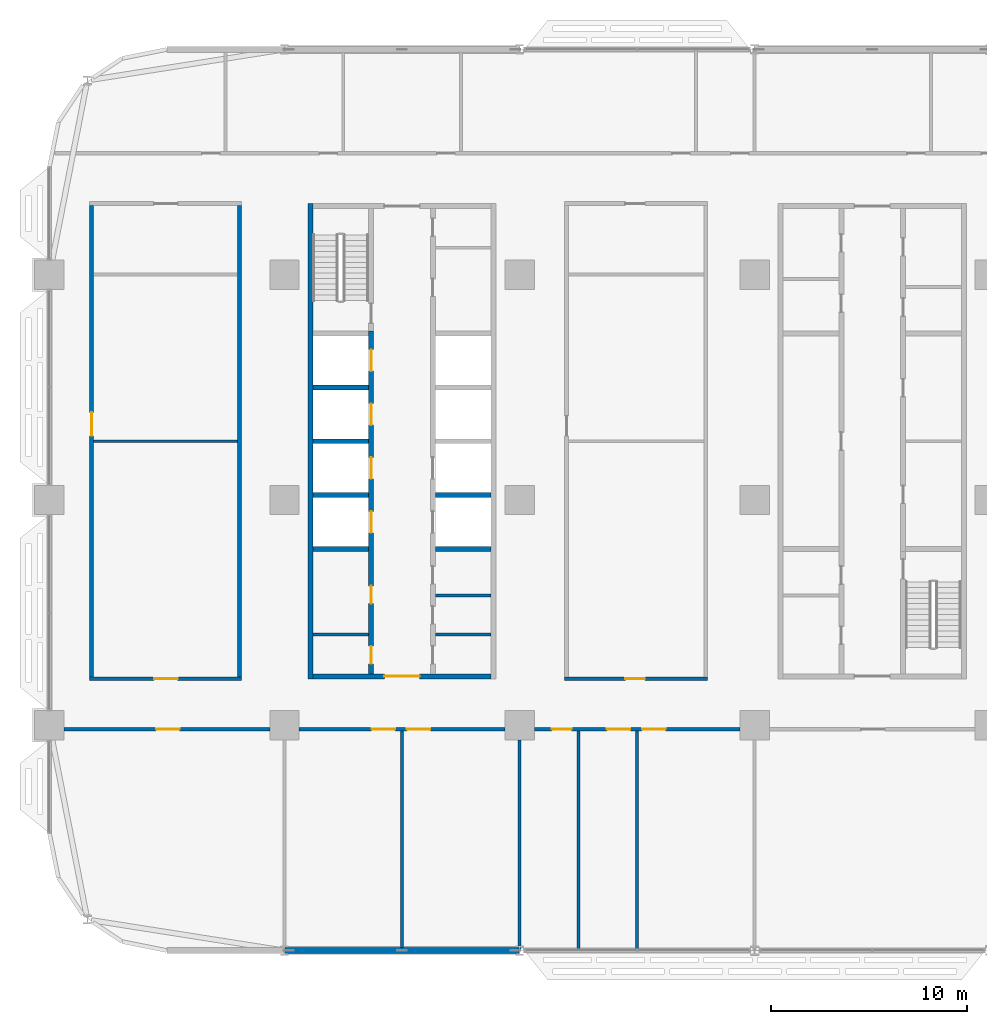
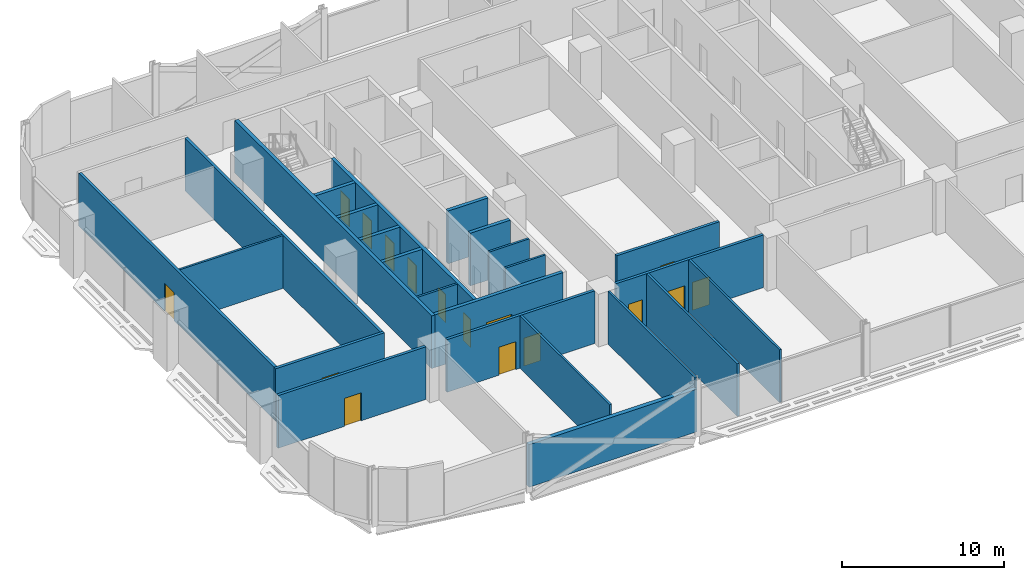
# One storey, part 12 of 29: 25 walls, 16 doors, 16 openings.
"""IFC4 building model written with IfcOpenShell, lengths in metres."""

from ifc_helpers import new_model, si_unit, direction, frame, frame_2d, origin, place, context, subcontext, project, spatial, rectangle, extrude, material, layer, layer_set, type_object, element, fill, save


model = new_model("IFC4")

# Units and contexts
model_context = context("Model", 3, precision=1e-05, world=origin(), true_north=direction((0.0, 1.0)))
body_context = subcontext(model_context, "Body", "Model", "MODEL_VIEW")
ifc_project = project(units=[si_unit("LENGTHUNIT", "METRE"), si_unit("AREAUNIT", "SQUARE_METRE"), si_unit("VOLUMEUNIT", "CUBIC_METRE"), si_unit("PLANEANGLEUNIT", "RADIAN"), si_unit("MASSUNIT", "GRAM", prefix="KILO")], contexts=[model_context])

# Site, building, storey
site_placement = place(None, origin())
site = spatial("IfcSite", under=ifc_project, at=site_placement, CompositionType="ELEMENT")
building_placement = place(site_placement, origin())
building = spatial("IfcBuilding", under=site, at=building_placement, Name="Mahtab Terrace Research Tower", CompositionType="ELEMENT")
storey_placement = place(building_placement, frame((0.0, 0.0, 58.89990234375)))
storey = spatial("IfcBuildingStorey", under=building, at=storey_placement, Name="L13", CompositionType="ELEMENT", Elevation=58.89990234375)

# Walls
ifc_material_1 = material(Name="Gypsum board partition")
ifc_layer_1 = layer(ifc_material_1, 0.14990234375)
ifc_layer_set_1 = layer_set([ifc_layer_1], Name="Core partition 150")
wall_type_1 = type_object("IfcWallType", Name="Core partition 150", PredefinedType="PARTITIONING", material=ifc_layer_set_1)
for number, where, z_axis, x_axis, name in (
    (1, (-28.550048828125, -6.875, 0.0), (0.0, 0.0, 1.0), (1.0, 0.0, 0.0), "Core wall A pWS-988"),
    (2, (-22.300048828125, -6.875, 0.0), (0.0, 0.0, 1.0), (1.0, 0.0, 0.0), "Core wall A pES-988"),
    (3, (-22.300048828125, -4.875, 0.0), (0.0, 0.0, 1.0), (1.0, 0.0, 0.0), "Core wall A pES-788"),
):
    element("IfcWall", number, at=place(storey_placement, frame(where, z_axis=z_axis, x_axis=x_axis)), inside=storey, type_object=wall_type_1, Name=name, PredefinedType="PARTITIONING", context=body_context, shape_type="SweptSolid", body=[
        extrude(rectangle(XDim=2.85009765625, YDim=0.14990234375, at=frame_2d((1.425048828125, 0.0))), origin(), (0.0, 0.0, 1.0), 3.960205078125),
    ])
ifc_material_2 = material(Name="Concrete C70/85", Category="concrete")
ifc_layer_2 = layer(ifc_material_2, 0.25)
ifc_layer_set_2 = layer_set([ifc_layer_2], Name="Core wall 250")
wall_type_2 = type_object("IfcWallType", Name="Core wall 250", PredefinedType="SOLIDWALL", material=ifc_layer_set_2)
wall_1_placement = place(storey_placement, frame((-28.675048828125, 15.125, 0.0), z_axis=(0.0, 0.0, 1.0), x_axis=(0.0, -1.0, 0.0)))
element("IfcWall", 4, at=wall_1_placement, inside=storey, type_object=wall_type_2, Name="Core wall A outerW", PredefinedType="SOLIDWALL", context=body_context, shape_type="SweptSolid", body=[
    extrude(rectangle(XDim=24.25, YDim=0.25, at=frame_2d((12.125, 0.0))), origin(), (0.0, 0.0, 1.0), 3.960205078125),
])

# Wall, opening, door
wall_2_placement = place(storey_placement, frame((-19.449951171875, -9.0, 0.0), z_axis=(0.0, 0.0, 1.0), x_axis=(-1.0, 0.0, 0.0)))
wall_2 = element("IfcWall", 5, at=wall_2_placement, inside=storey, type_object=wall_type_2, Name="Core wall A endS", PredefinedType="SOLIDWALL", context=body_context, shape_type="SweptSolid", body=[
    extrude(rectangle(XDim=9.10009765625, YDim=0.25, at=frame_2d((4.550048828125, 0.0))), origin(), (0.0, 0.0, 1.0), 3.960205078125),
])
opening_1_placement = place(wall_2_placement, frame((3.64990234375, 0.0, 0.0)))
opening_1 = element("IfcOpeningElement", 6, at=opening_1_placement, cuts=wall_2, Name="Opening A-S1", PredefinedType="OPENING", context=body_context, shape_type="SweptSolid", body=[
    extrude(rectangle(XDim=1.800048828125, YDim=2.10009765625, at=frame_2d((0.89990234375, 1.050048828125))), frame((0.0, 0.135009765625, 0.0), z_axis=(0.0, -1.0, 0.0), x_axis=(1.0, 0.0, 0.0)), (0.0, 0.0, 1.0), 0.27001953125),
])
ifc_material_3 = material(Name="Steel fire door", Category="steel")
door_type_1 = type_object("IfcDoorType", Name="Lobby double door 1800x2100 1 HR", OperationType="DOUBLE_DOOR_SINGLE_SWING", PredefinedType="DOOR", material=ifc_material_3)
door_1_placement = place(opening_1_placement, origin())
door_1 = element("IfcDoor", 7, at=door_1_placement, inside=storey, type_object=door_type_1, Name="Core entrance door A S", OperationType="DOUBLE_DOOR_SINGLE_SWING", OverallHeight=2.10009765625, OverallWidth=1.800048828125, PredefinedType="DOOR", context=body_context, shape_type="SweptSolid", body=[
    extrude(rectangle(XDim=1.800048828125, YDim=2.10009765625, at=frame_2d((0.89990234375, 1.050048828125))), frame((0.0, 0.02490234375, 0.0), z_axis=(0.0, -1.0, 0.0), x_axis=(1.0, 0.0, 0.0)), (0.0, 0.0, 1.0), 0.050048828125),
])
fill(opening_1, door_1)

# Wall, openings, doors
wall_3_placement = place(storey_placement, frame((-25.574951171875, -8.875, 0.0), z_axis=(0.0, 0.0, 1.0), x_axis=(0.0, 1.0, 0.0)))
wall_3 = element("IfcWall", 8, at=wall_3_placement, inside=storey, type_object=wall_type_2, Name="Core wall A innerWSL", PredefinedType="SOLIDWALL", context=body_context, shape_type="SweptSolid", body=[
    extrude(rectangle(XDim=17.5, YDim=0.25, at=frame_2d((8.75, 0.0))), origin(), (0.0, 0.0, 1.0), 3.960205078125),
])
opening_2_placement = place(wall_3_placement, frame((7.199951171875, 0.0, 0.0)))
opening_2 = element("IfcOpeningElement", 9, at=opening_2_placement, cuts=wall_3, Name="Opening LD01-L13", PredefinedType="OPENING", context=body_context, shape_type="SweptSolid", body=[
    extrude(rectangle(XDim=1.10009765625, YDim=2.10009765625, at=frame_2d((0.550048828125, 1.050048828125))), frame((0.0, 0.135009765625, 0.0), z_axis=(0.0, -1.0, 0.0), x_axis=(1.0, 0.0, 0.0)), (0.0, 0.0, 1.0), 0.27001953125),
])
opening_3_placement = place(wall_3_placement, frame((9.949951171875, 0.0, 0.0)))
opening_3 = element("IfcOpeningElement", 10, at=opening_3_placement, cuts=wall_3, Name="Opening LD02-L13", PredefinedType="OPENING", context=body_context, shape_type="SweptSolid", body=[
    extrude(rectangle(XDim=1.10009765625, YDim=2.10009765625, at=frame_2d((0.550048828125, 1.050048828125))), frame((0.0, 0.135009765625, 0.0), z_axis=(0.0, -1.0, 0.0), x_axis=(1.0, 0.0, 0.0)), (0.0, 0.0, 1.0), 0.27001953125),
])
opening_4_placement = place(wall_3_placement, frame((12.699951171875, 0.0, 0.0)))
opening_4 = element("IfcOpeningElement", 11, at=opening_4_placement, cuts=wall_3, Name="Opening LD03-L13", PredefinedType="OPENING", context=body_context, shape_type="SweptSolid", body=[
    extrude(rectangle(XDim=1.10009765625, YDim=2.10009765625, at=frame_2d((0.550048828125, 1.050048828125))), frame((0.0, 0.135009765625, 0.0), z_axis=(0.0, -1.0, 0.0), x_axis=(1.0, 0.0, 0.0)), (0.0, 0.0, 1.0), 0.27001953125),
])
opening_5_placement = place(wall_3_placement, frame((15.449951171875, 0.0, 0.0)))
opening_5 = element("IfcOpeningElement", 12, at=opening_5_placement, cuts=wall_3, Name="Opening LD04-L13", PredefinedType="OPENING", context=body_context, shape_type="SweptSolid", body=[
    extrude(rectangle(XDim=1.10009765625, YDim=2.10009765625, at=frame_2d((0.550048828125, 1.050048828125))), frame((0.0, 0.135009765625, 0.0), z_axis=(0.0, -1.0, 0.0), x_axis=(1.0, 0.0, 0.0)), (0.0, 0.0, 1.0), 0.27001953125),
])
opening_6_placement = place(wall_3_placement, frame((0.512451171875, 0.0, 0.0)))
opening_6 = element("IfcOpeningElement", 13, at=opening_6_placement, cuts=wall_3, Name="Opening A-R1", PredefinedType="OPENING", context=body_context, shape_type="SweptSolid", body=[
    extrude(rectangle(XDim=0.89990234375, YDim=2.10009765625, at=frame_2d((0.449951171875, 1.050048828125))), frame((0.0, 0.135009765625, 0.0), z_axis=(0.0, -1.0, 0.0), x_axis=(1.0, 0.0, 0.0)), (0.0, 0.0, 1.0), 0.27001953125),
])
opening_7_placement = place(wall_3_placement, frame((3.58740234375, 0.0, 0.0)))
opening_7 = element("IfcOpeningElement", 14, at=opening_7_placement, cuts=wall_3, Name="Opening A-R2", PredefinedType="OPENING", context=body_context, shape_type="SweptSolid", body=[
    extrude(rectangle(XDim=0.89990234375, YDim=2.10009765625, at=frame_2d((0.449951171875, 1.050048828125))), frame((0.0, 0.135009765625, 0.0), z_axis=(0.0, -1.0, 0.0), x_axis=(1.0, 0.0, 0.0)), (0.0, 0.0, 1.0), 0.27001953125),
])
ifc_material_4 = material(Name="Stainless steel AISI 304", Category="steel")
door_type_2 = type_object("IfcDoorType", Name="Landing door 1100x2100", OperationType="DOUBLE_DOOR_SLIDING", PredefinedType="DOOR", material=ifc_material_4)
door_2_placement = place(opening_2_placement, origin())
door_2 = element("IfcDoor", 15, at=door_2_placement, inside=storey, type_object=door_type_2, Name="Landing door LR1 L13", OperationType="DOUBLE_DOOR_SLIDING", OverallHeight=2.10009765625, OverallWidth=1.10009765625, PredefinedType="DOOR", context=body_context, shape_type="SweptSolid", body=[
    extrude(rectangle(XDim=1.10009765625, YDim=2.10009765625, at=frame_2d((0.550048828125, 1.050048828125))), frame((0.0, 0.02490234375, 0.0), z_axis=(0.0, -1.0, 0.0), x_axis=(1.0, 0.0, 0.0)), (0.0, 0.0, 1.0), 0.050048828125),
])
fill(opening_2, door_2)
door_3_placement = place(opening_3_placement, origin())
door_3 = element("IfcDoor", 16, at=door_3_placement, inside=storey, type_object=door_type_2, Name="Landing door LR2 L13", OperationType="DOUBLE_DOOR_SLIDING", OverallHeight=2.10009765625, OverallWidth=1.10009765625, PredefinedType="DOOR", context=body_context, shape_type="SweptSolid", body=[
    extrude(rectangle(XDim=1.10009765625, YDim=2.10009765625, at=frame_2d((0.550048828125, 1.050048828125))), frame((0.0, 0.02490234375, 0.0), z_axis=(0.0, -1.0, 0.0), x_axis=(1.0, 0.0, 0.0)), (0.0, 0.0, 1.0), 0.050048828125),
])
fill(opening_3, door_3)
door_4_placement = place(opening_4_placement, origin())
door_4 = element("IfcDoor", 17, at=door_4_placement, inside=storey, type_object=door_type_2, Name="Landing door LR3 L13", OperationType="DOUBLE_DOOR_SLIDING", OverallHeight=2.10009765625, OverallWidth=1.10009765625, PredefinedType="DOOR", context=body_context, shape_type="SweptSolid", body=[
    extrude(rectangle(XDim=1.10009765625, YDim=2.10009765625, at=frame_2d((0.550048828125, 1.050048828125))), frame((0.0, 0.02490234375, 0.0), z_axis=(0.0, -1.0, 0.0), x_axis=(1.0, 0.0, 0.0)), (0.0, 0.0, 1.0), 0.050048828125),
])
fill(opening_4, door_4)
door_5_placement = place(opening_5_placement, origin())
door_5 = element("IfcDoor", 18, at=door_5_placement, inside=storey, type_object=door_type_2, Name="Landing door LR4 L13", OperationType="DOUBLE_DOOR_SLIDING", OverallHeight=2.10009765625, OverallWidth=1.10009765625, PredefinedType="DOOR", context=body_context, shape_type="SweptSolid", body=[
    extrude(rectangle(XDim=1.10009765625, YDim=2.10009765625, at=frame_2d((0.550048828125, 1.050048828125))), frame((0.0, 0.02490234375, 0.0), z_axis=(0.0, -1.0, 0.0), x_axis=(1.0, 0.0, 0.0)), (0.0, 0.0, 1.0), 0.050048828125),
])
fill(opening_5, door_5)
door_type_3 = type_object("IfcDoorType", Name="Room door 900x2100 1 HR", OperationType="NOTDEFINED", PredefinedType="DOOR", material=ifc_material_3)
door_6_placement = place(opening_6_placement, origin())
door_6 = element("IfcDoor", 19, at=door_6_placement, inside=storey, type_object=door_type_3, Name="Accessible WC door", OperationType="SINGLE_SWING_LEFT", OverallHeight=2.10009765625, OverallWidth=0.89990234375, PredefinedType="DOOR", context=body_context, shape_type="SweptSolid", body=[
    extrude(rectangle(XDim=0.89990234375, YDim=2.10009765625, at=frame_2d((0.449951171875, 1.050048828125))), frame((0.0, 0.02490234375, 0.0), z_axis=(0.0, -1.0, 0.0), x_axis=(1.0, 0.0, 0.0)), (0.0, 0.0, 1.0), 0.050048828125),
])
fill(opening_6, door_6)
door_7_placement = place(opening_7_placement, origin())
door_7 = element("IfcDoor", 20, at=door_7_placement, inside=storey, type_object=door_type_3, Name="WC block door", OperationType="SINGLE_SWING_RIGHT", OverallHeight=2.10009765625, OverallWidth=0.89990234375, PredefinedType="DOOR", context=body_context, shape_type="SweptSolid", body=[
    extrude(rectangle(XDim=0.89990234375, YDim=2.10009765625, at=frame_2d((0.449951171875, 1.050048828125))), frame((0.0, 0.02490234375, 0.0), z_axis=(0.0, -1.0, 0.0), x_axis=(1.0, 0.0, 0.0)), (0.0, 0.0, 1.0), 0.050048828125),
])
fill(opening_7, door_7)

# Walls
for number, where, z_axis, x_axis, name in (
    (21, (-28.550048828125, -2.5, 0.0), (0.0, 0.0, 1.0), (1.0, 0.0, 0.0), "Core wall A divW0"),
    (22, (-28.550048828125, 0.25, 0.0), (0.0, 0.0, 1.0), (1.0, 0.0, 0.0), "Core wall A divW1"),
    (23, (-28.550048828125, 3.0, 0.0), (0.0, 0.0, 1.0), (1.0, 0.0, 0.0), "Core wall A divW2"),
    (24, (-28.550048828125, 5.75, 0.0), (0.0, 0.0, 1.0), (1.0, 0.0, 0.0), "Core wall A divW3"),
    (25, (-22.300048828125, -2.5, 0.0), (0.0, 0.0, 1.0), (1.0, 0.0, 0.0), "Core wall A divE0"),
    (26, (-22.300048828125, 0.25, 0.0), (0.0, 0.0, 1.0), (1.0, 0.0, 0.0), "Core wall A divE1"),
):
    element("IfcWall", number, at=place(storey_placement, frame(where, z_axis=z_axis, x_axis=x_axis)), inside=storey, type_object=wall_type_2, Name=name, PredefinedType="SOLIDWALL", context=body_context, shape_type="SweptSolid", body=[
        extrude(rectangle(XDim=2.85009765625, YDim=0.25, at=frame_2d((1.425048828125, 0.0))), origin(), (0.0, 0.0, 1.0), 3.960205078125),
    ])
ifc_material_5 = material(Name="Black aluminium cladding panel", Category="aluminium")
ifc_layer_3 = layer(ifc_material_5, 0.300048828125)
ifc_layer_set_3 = layer_set([ifc_layer_3], Name="Opaque facade wall 300")
wall_type_3 = type_object("IfcWallType", Name="Opaque facade wall 300", PredefinedType="NOTDEFINED", material=ifc_layer_set_3)
wall_4_placement = place(storey_placement, frame((-29.97607421875, -23.0, 0.0), z_axis=(0.0, 0.0, 1.0), x_axis=(1.0, 0.0, 0.0)))
element("IfcWall", 27, at=wall_4_placement, inside=storey, type_object=wall_type_3, Name="Opaque facade wall L13 S24", PredefinedType="NOTDEFINED", context=body_context, shape_type="SweptSolid", body=[
    extrude(rectangle(XDim=11.9521484375, YDim=0.300048828125, at=frame_2d((5.97607421875, 0.0))), origin(), (0.0, 0.0, 1.0), 3.203125),
])

# Wall, opening, door
ifc_material_6 = material(Name="Gypsum board corridor wall on steel studs", Category="steel")
ifc_layer_4 = layer(ifc_material_6, 0.199951171875)
ifc_layer_set_4 = layer_set([ifc_layer_4], Name="WALL CORRIDOR 200")
wall_type_4 = type_object("IfcWallType", Name="WALL CORRIDOR 200", PredefinedType="PARTITIONING", material=ifc_layer_set_4)
wall_5_placement = place(storey_placement, frame((-41.25, -11.699951171875, 0.0), z_axis=(0.0, 0.0, 1.0), x_axis=(1.0, 0.0, 0.0)))
wall_5 = element("IfcWall", 28, at=wall_5_placement, inside=storey, type_object=wall_type_4, Name="L13-W001", PredefinedType="PARTITIONING", context=body_context, shape_type="SweptSolid", body=[
    extrude(rectangle(XDim=10.5, YDim=0.199951171875, at=frame_2d((5.25, 0.0))), origin(), (0.0, 0.0, 1.0), 3.960205078125),
])
opening_8_placement = place(wall_5_placement, frame((4.699951171875, 0.0, 0.0)))
opening_8 = element("IfcOpeningElement", 29, at=opening_8_placement, cuts=wall_5, Name="Opening L13-101", PredefinedType="OPENING", context=body_context, shape_type="SweptSolid", body=[
    extrude(rectangle(XDim=1.199951171875, YDim=2.10009765625, at=frame_2d((0.60009765625, 1.050048828125))), frame((0.0, 0.10986328125, 0.0), z_axis=(0.0, -1.0, 0.0), x_axis=(1.0, 0.0, 0.0)), (0.0, 0.0, 1.0), 0.219970703125),
])
ifc_material_7 = material(Name="Timber door leaf in steel frame", Category="steel")
door_type_4 = type_object("IfcDoorType", Name="DOOR 1200X2100 FD30S", OperationType="SINGLE_SWING_LEFT", PredefinedType="DOOR", material=ifc_material_7)
door_8_placement = place(opening_8_placement, origin())
door_8 = element("IfcDoor", 30, at=door_8_placement, inside=storey, type_object=door_type_4, Name="Door L13-101", OperationType="SINGLE_SWING_LEFT", OverallHeight=2.10009765625, OverallWidth=1.199951171875, PredefinedType="DOOR", context=body_context, shape_type="SweptSolid", body=[
    extrude(rectangle(XDim=1.199951171875, YDim=2.10009765625, at=frame_2d((0.60009765625, 1.050048828125))), frame((0.0, 0.02490234375, 0.0), z_axis=(0.0, -1.0, 0.0), x_axis=(1.0, 0.0, 0.0)), (0.0, 0.0, 1.0), 0.050048828125),
])
fill(opening_8, door_8)

# Wall, openings, doors
wall_6_placement = place(storey_placement, frame((-29.25, -11.699951171875, 0.0), z_axis=(0.0, 0.0, 1.0), x_axis=(1.0, 0.0, 0.0)))
wall_6 = element("IfcWall", 31, at=wall_6_placement, inside=storey, type_object=wall_type_4, Name="L13-W002", PredefinedType="PARTITIONING", context=body_context, shape_type="SweptSolid", body=[
    extrude(rectangle(XDim=10.5, YDim=0.199951171875, at=frame_2d((5.25, 0.0))), origin(), (0.0, 0.0, 1.0), 3.960205078125),
])
opening_9_placement = place(wall_6_placement, frame((3.699951171875, 0.0, 0.0)))
opening_9 = element("IfcOpeningElement", 32, at=opening_9_placement, cuts=wall_6, Name="Opening L13-102", PredefinedType="OPENING", context=body_context, shape_type="SweptSolid", body=[
    extrude(rectangle(XDim=1.199951171875, YDim=2.10009765625, at=frame_2d((0.60009765625, 1.050048828125))), frame((0.0, 0.10986328125, 0.0), z_axis=(0.0, -1.0, 0.0), x_axis=(1.0, 0.0, 0.0)), (0.0, 0.0, 1.0), 0.219970703125),
])
opening_10_placement = place(wall_6_placement, frame((5.5, 0.0, 0.0)))
opening_10 = element("IfcOpeningElement", 33, at=opening_10_placement, cuts=wall_6, Name="Opening L13-103", PredefinedType="OPENING", context=body_context, shape_type="SweptSolid", body=[
    extrude(rectangle(XDim=1.199951171875, YDim=2.10009765625, at=frame_2d((0.60009765625, 1.050048828125))), frame((0.0, 0.10986328125, 0.0), z_axis=(0.0, -1.0, 0.0), x_axis=(1.0, 0.0, 0.0)), (0.0, 0.0, 1.0), 0.219970703125),
])
door_9_placement = place(opening_9_placement, origin())
door_9 = element("IfcDoor", 34, at=door_9_placement, inside=storey, type_object=door_type_4, Name="Door L13-102", OperationType="SINGLE_SWING_RIGHT", OverallHeight=2.10009765625, OverallWidth=1.199951171875, PredefinedType="DOOR", context=body_context, shape_type="SweptSolid", body=[
    extrude(rectangle(XDim=1.199951171875, YDim=2.10009765625, at=frame_2d((0.60009765625, 1.050048828125))), frame((0.0, 0.02490234375, 0.0), z_axis=(0.0, -1.0, 0.0), x_axis=(1.0, 0.0, 0.0)), (0.0, 0.0, 1.0), 0.050048828125),
])
fill(opening_9, door_9)
door_10_placement = place(opening_10_placement, origin())
door_10 = element("IfcDoor", 35, at=door_10_placement, inside=storey, type_object=door_type_4, Name="Door L13-103", OperationType="SINGLE_SWING_LEFT", OverallHeight=2.10009765625, OverallWidth=1.199951171875, PredefinedType="DOOR", context=body_context, shape_type="SweptSolid", body=[
    extrude(rectangle(XDim=1.199951171875, YDim=2.10009765625, at=frame_2d((0.60009765625, 1.050048828125))), frame((0.0, 0.02490234375, 0.0), z_axis=(0.0, -1.0, 0.0), x_axis=(1.0, 0.0, 0.0)), (0.0, 0.0, 1.0), 0.050048828125),
])
fill(opening_10, door_10)

wall_7_placement = place(storey_placement, frame((-17.25, -11.699951171875, 0.0), z_axis=(0.0, 0.0, 1.0), x_axis=(1.0, 0.0, 0.0)))
wall_7 = element("IfcWall", 36, at=wall_7_placement, inside=storey, type_object=wall_type_4, Name="L13-W003", PredefinedType="PARTITIONING", context=body_context, shape_type="SweptSolid", body=[
    extrude(rectangle(XDim=10.5, YDim=0.199951171875, at=frame_2d((5.25, 0.0))), origin(), (0.0, 0.0, 1.0), 3.960205078125),
])
opening_11_placement = place(wall_7_placement, frame((0.89990234375, 0.0, 0.0)))
opening_11 = element("IfcOpeningElement", 37, at=opening_11_placement, cuts=wall_7, Name="Opening L13-104", PredefinedType="OPENING", context=body_context, shape_type="SweptSolid", body=[
    extrude(rectangle(XDim=1.0, YDim=2.10009765625, at=frame_2d((0.5, 1.050048828125))), frame((0.0, 0.10986328125, 0.0), z_axis=(0.0, -1.0, 0.0), x_axis=(1.0, 0.0, 0.0)), (0.0, 0.0, 1.0), 0.219970703125),
])
opening_12_placement = place(wall_7_placement, frame((3.699951171875, 0.0, 0.0)))
opening_12 = element("IfcOpeningElement", 38, at=opening_12_placement, cuts=wall_7, Name="Opening L13-105", PredefinedType="OPENING", context=body_context, shape_type="SweptSolid", body=[
    extrude(rectangle(XDim=1.199951171875, YDim=2.10009765625, at=frame_2d((0.60009765625, 1.050048828125))), frame((0.0, 0.10986328125, 0.0), z_axis=(0.0, -1.0, 0.0), x_axis=(1.0, 0.0, 0.0)), (0.0, 0.0, 1.0), 0.219970703125),
])
opening_13_placement = place(wall_7_placement, frame((5.5, 0.0, 0.0)))
opening_13 = element("IfcOpeningElement", 39, at=opening_13_placement, cuts=wall_7, Name="Opening L13-106", PredefinedType="OPENING", context=body_context, shape_type="SweptSolid", body=[
    extrude(rectangle(XDim=1.199951171875, YDim=2.10009765625, at=frame_2d((0.60009765625, 1.050048828125))), frame((0.0, 0.10986328125, 0.0), z_axis=(0.0, -1.0, 0.0), x_axis=(1.0, 0.0, 0.0)), (0.0, 0.0, 1.0), 0.219970703125),
])
door_type_5 = type_object("IfcDoorType", Name="DOOR 1000X2100 FD30S", OperationType="SINGLE_SWING_LEFT", PredefinedType="DOOR", material=ifc_material_7)
door_11_placement = place(opening_11_placement, origin())
door_11 = element("IfcDoor", 40, at=door_11_placement, inside=storey, type_object=door_type_5, Name="Door L13-104", OperationType="SINGLE_SWING_RIGHT", OverallHeight=2.10009765625, OverallWidth=1.0, PredefinedType="DOOR", context=body_context, shape_type="SweptSolid", body=[
    extrude(rectangle(XDim=1.0, YDim=2.10009765625, at=frame_2d((0.5, 1.050048828125))), frame((0.0, 0.02490234375, 0.0), z_axis=(0.0, -1.0, 0.0), x_axis=(1.0, 0.0, 0.0)), (0.0, 0.0, 1.0), 0.050048828125),
])
fill(opening_11, door_11)
door_12_placement = place(opening_12_placement, origin())
door_12 = element("IfcDoor", 41, at=door_12_placement, inside=storey, type_object=door_type_4, Name="Door L13-105", OperationType="SINGLE_SWING_RIGHT", OverallHeight=2.10009765625, OverallWidth=1.199951171875, PredefinedType="DOOR", context=body_context, shape_type="SweptSolid", body=[
    extrude(rectangle(XDim=1.199951171875, YDim=2.10009765625, at=frame_2d((0.60009765625, 1.050048828125))), frame((0.0, 0.02490234375, 0.0), z_axis=(0.0, -1.0, 0.0), x_axis=(1.0, 0.0, 0.0)), (0.0, 0.0, 1.0), 0.050048828125),
])
fill(opening_12, door_12)
door_13_placement = place(opening_13_placement, origin())
door_13 = element("IfcDoor", 42, at=door_13_placement, inside=storey, type_object=door_type_4, Name="Door L13-106", OperationType="SINGLE_SWING_LEFT", OverallHeight=2.10009765625, OverallWidth=1.199951171875, PredefinedType="DOOR", context=body_context, shape_type="SweptSolid", body=[
    extrude(rectangle(XDim=1.199951171875, YDim=2.10009765625, at=frame_2d((0.60009765625, 1.050048828125))), frame((0.0, 0.02490234375, 0.0), z_axis=(0.0, -1.0, 0.0), x_axis=(1.0, 0.0, 0.0)), (0.0, 0.0, 1.0), 0.050048828125),
])
fill(opening_13, door_13)

# Wall, opening, door
wall_8_placement = place(storey_placement, frame((-39.949951171875, -9.125, 0.0), z_axis=(0.0, 0.0, 1.0), x_axis=(1.0, 0.0, 0.0)))
wall_8 = element("IfcWall", 43, at=wall_8_placement, inside=storey, type_object=wall_type_4, Name="L13-W009", PredefinedType="PARTITIONING", context=body_context, shape_type="SweptSolid", body=[
    extrude(rectangle(XDim=7.75, YDim=0.199951171875, at=frame_2d((3.875, 0.0))), origin(), (0.0, 0.0, 1.0), 3.960205078125),
])
opening_14_placement = place(wall_8_placement, frame((3.300048828125, 0.0, 0.0)))
opening_14 = element("IfcOpeningElement", 44, at=opening_14_placement, cuts=wall_8, Name="Opening L13-116", PredefinedType="OPENING", context=body_context, shape_type="SweptSolid", body=[
    extrude(rectangle(XDim=1.199951171875, YDim=2.10009765625, at=frame_2d((0.60009765625, 1.050048828125))), frame((0.0, 0.10986328125, 0.0), z_axis=(0.0, -1.0, 0.0), x_axis=(1.0, 0.0, 0.0)), (0.0, 0.0, 1.0), 0.219970703125),
])
door_14_placement = place(opening_14_placement, origin())
door_14 = element("IfcDoor", 45, at=door_14_placement, inside=storey, type_object=door_type_4, Name="Door L13-116", OperationType="SINGLE_SWING_RIGHT", OverallHeight=2.10009765625, OverallWidth=1.199951171875, PredefinedType="DOOR", context=body_context, shape_type="SweptSolid", body=[
    extrude(rectangle(XDim=1.199951171875, YDim=2.10009765625, at=frame_2d((0.60009765625, 1.050048828125))), frame((0.0, 0.02490234375, 0.0), z_axis=(0.0, -1.0, 0.0), x_axis=(1.0, 0.0, 0.0)), (0.0, 0.0, 1.0), 0.050048828125),
])
fill(opening_14, door_14)

wall_9_placement = place(storey_placement, frame((-15.699951171875, -9.125, 0.0), z_axis=(0.0, 0.0, 1.0), x_axis=(1.0, 0.0, 0.0)))
wall_9 = element("IfcWall", 46, at=wall_9_placement, inside=storey, type_object=wall_type_4, Name="L13-W010", PredefinedType="PARTITIONING", context=body_context, shape_type="SweptSolid", body=[
    extrude(rectangle(XDim=7.300048828125, YDim=0.199951171875, at=frame_2d((3.64990234375, 0.0))), origin(), (0.0, 0.0, 1.0), 3.960205078125),
])
opening_15_placement = place(wall_9_placement, frame((3.10009765625, 0.0, 0.0)))
opening_15 = element("IfcOpeningElement", 47, at=opening_15_placement, cuts=wall_9, Name="Opening L13-117", PredefinedType="OPENING", context=body_context, shape_type="SweptSolid", body=[
    extrude(rectangle(XDim=1.0, YDim=2.10009765625, at=frame_2d((0.5, 1.050048828125))), frame((0.0, 0.10986328125, 0.0), z_axis=(0.0, -1.0, 0.0), x_axis=(1.0, 0.0, 0.0)), (0.0, 0.0, 1.0), 0.219970703125),
])
door_15_placement = place(opening_15_placement, origin())
door_15 = element("IfcDoor", 48, at=door_15_placement, inside=storey, type_object=door_type_5, Name="Door L13-117", OperationType="SINGLE_SWING_LEFT", OverallHeight=2.10009765625, OverallWidth=1.0, PredefinedType="DOOR", context=body_context, shape_type="SweptSolid", body=[
    extrude(rectangle(XDim=1.0, YDim=2.10009765625, at=frame_2d((0.5, 1.050048828125))), frame((0.0, 0.02490234375, 0.0), z_axis=(0.0, -1.0, 0.0), x_axis=(1.0, 0.0, 0.0)), (0.0, 0.0, 1.0), 0.050048828125),
])
fill(opening_15, door_15)

wall_10_placement = place(storey_placement, frame((-39.85009765625, -9.02490234375, 0.0), z_axis=(0.0, 0.0, 1.0), x_axis=(0.0, 1.0, 0.0)))
wall_10 = element("IfcWall", 49, at=wall_10_placement, inside=storey, type_object=wall_type_4, Name="L13-W027", PredefinedType="PARTITIONING", context=body_context, shape_type="SweptSolid", body=[
    extrude(rectangle(XDim=24.0498046875, YDim=0.199951171875, at=frame_2d((12.02490234375, 0.0))), origin(), (0.0, 0.0, 1.0), 3.960205078125),
])
opening_16_placement = place(wall_10_placement, frame((12.300048828125, 0.0, 0.0)))
opening_16 = element("IfcOpeningElement", 50, at=opening_16_placement, cuts=wall_10, Name="Opening L13-121", PredefinedType="OPENING", context=body_context, shape_type="SweptSolid", body=[
    extrude(rectangle(XDim=1.199951171875, YDim=2.10009765625, at=frame_2d((0.60009765625, 1.050048828125))), frame((0.0, 0.10986328125, 0.0), z_axis=(0.0, -1.0, 0.0), x_axis=(1.0, 0.0, 0.0)), (0.0, 0.0, 1.0), 0.219970703125),
])
door_16_placement = place(opening_16_placement, origin())
door_16 = element("IfcDoor", 51, at=door_16_placement, inside=storey, type_object=door_type_4, Name="Door L13-121", OperationType="SINGLE_SWING_LEFT", OverallHeight=2.10009765625, OverallWidth=1.199951171875, PredefinedType="DOOR", context=body_context, shape_type="SweptSolid", body=[
    extrude(rectangle(XDim=1.199951171875, YDim=2.10009765625, at=frame_2d((0.60009765625, 1.050048828125))), frame((0.0, 0.02490234375, 0.0), z_axis=(0.0, -1.0, 0.0), x_axis=(1.0, 0.0, 0.0)), (0.0, 0.0, 1.0), 0.050048828125),
])
fill(opening_16, door_16)

# Walls
wall_11_placement = place(storey_placement, frame((-32.300048828125, -9.02490234375, 0.0), z_axis=(0.0, 0.0, 1.0), x_axis=(0.0, 1.0, 0.0)))
element("IfcWall", 52, at=wall_11_placement, inside=storey, type_object=wall_type_4, Name="L13-W029", PredefinedType="PARTITIONING", context=body_context, shape_type="SweptSolid", body=[
    extrude(rectangle(XDim=24.0498046875, YDim=0.199951171875, at=frame_2d((12.02490234375, 0.0))), origin(), (0.0, 0.0, 1.0), 3.960205078125),
])
ifc_material_8 = material(Name="Gypsum board partition on steel studs", Category="steel")
ifc_layer_5 = layer(ifc_material_8, 0.14990234375)
ifc_layer_set_5 = layer_set([ifc_layer_5], Name="WALL PARTITION 150")
wall_type_5 = type_object("IfcWallType", Name="WALL PARTITION 150", PredefinedType="PARTITIONING", material=ifc_layer_set_5)
wall_12_placement = place(storey_placement, frame((-39.75, 3.0, 0.0), z_axis=(0.0, 0.0, 1.0), x_axis=(1.0, 0.0, 0.0)))
element("IfcWall", 53, at=wall_12_placement, inside=storey, type_object=wall_type_5, Name="L13-W013", PredefinedType="PARTITIONING", context=body_context, shape_type="SweptSolid", body=[
    extrude(rectangle(XDim=7.35009765625, YDim=0.14990234375, at=frame_2d((3.675048828125, 0.0))), origin(), (0.0, 0.0, 1.0), 3.960205078125),
])
wall_13_placement = place(storey_placement, frame((-24.0, -22.85009765625, 0.0), z_axis=(0.0, 0.0, 1.0), x_axis=(0.0, 1.0, 0.0)))
element("IfcWall", 54, at=wall_13_placement, inside=storey, type_object=wall_type_5, Name="L13-W032", PredefinedType="PARTITIONING", context=body_context, shape_type="SweptSolid", body=[
    extrude(rectangle(XDim=11.050048828125, YDim=0.14990234375, at=frame_2d((5.52490234375, 0.0))), origin(), (0.0, 0.0, 1.0), 3.960205078125),
])
wall_14_placement = place(storey_placement, frame((-18.0, -22.97509765625, 0.0), z_axis=(0.0, 0.0, 1.0), x_axis=(0.0, 1.0, 0.0)))
element("IfcWall", 55, at=wall_14_placement, inside=storey, type_object=wall_type_5, Name="L13-W034", PredefinedType="PARTITIONING", context=body_context, shape_type="SweptSolid", body=[
    extrude(rectangle(XDim=10.72509765625, YDim=0.14990234375, at=frame_2d((5.362548828125, 0.0))), origin(), (0.0, 0.0, 1.0), 3.960205078125),
])
for number, where, z_axis, x_axis, name in (
    (56, (-15.0, -22.97509765625, 0.0), (0.0, 0.0, 1.0), (0.0, 1.0, 0.0), "L13-W036"),
    (57, (-12.0, -22.97509765625, 0.0), (0.0, 0.0, 1.0), (0.0, 1.0, 0.0), "L13-W037"),
):
    element("IfcWall", number, at=place(storey_placement, frame(where, z_axis=z_axis, x_axis=x_axis)), inside=storey, type_object=wall_type_5, Name=name, PredefinedType="PARTITIONING", context=body_context, shape_type="SweptSolid", body=[
        extrude(rectangle(XDim=11.175048828125, YDim=0.14990234375, at=frame_2d((5.58740234375, 0.0))), origin(), (0.0, 0.0, 1.0), 3.960205078125),
    ])

save(model, "model.ifc")
